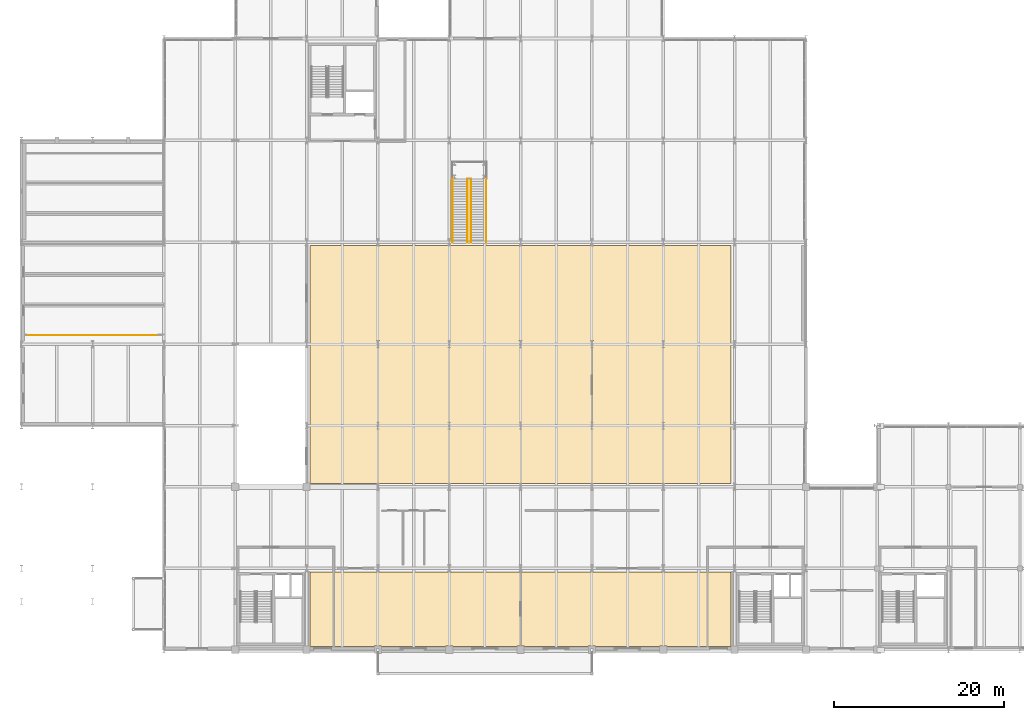
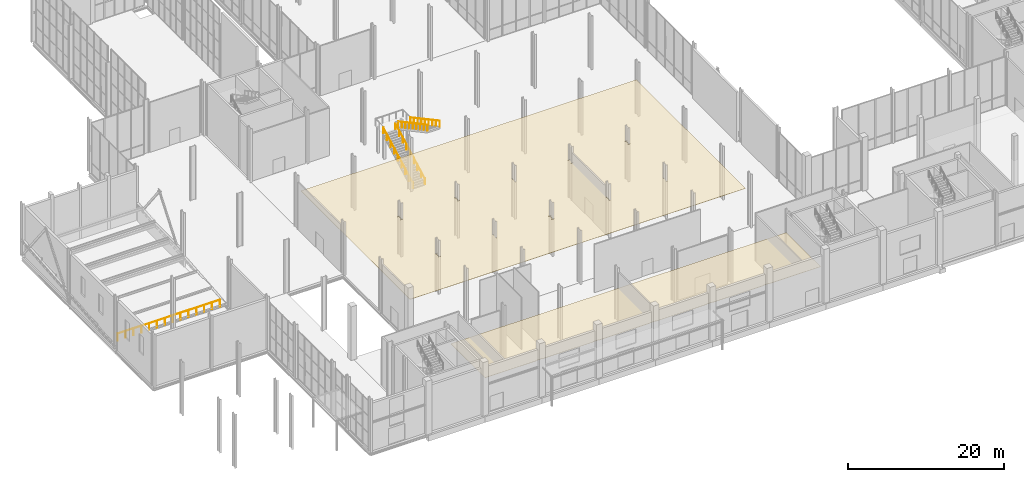
# One storey, part 124 of 131: 5 railings, 2 coverings.
"""IFC4 building model written with IfcOpenShell, lengths in metres."""

from ifc_helpers import new_model, si_unit, direction, frame, origin, origin_2d, place, context, subcontext, project, spatial, polyline, circle, outline, extrude, material, layer, layer_set, type_object, element, save


model = new_model("IFC4")

# Units and contexts
model_context = context("Model", 3, precision=1e-05, world=origin(), true_north=direction((0.0, 1.0)))
body_context = subcontext(model_context, "Body", "Model", "MODEL_VIEW")
ifc_project = project(units=[si_unit("LENGTHUNIT", "METRE"), si_unit("AREAUNIT", "SQUARE_METRE"), si_unit("VOLUMEUNIT", "CUBIC_METRE"), si_unit("PLANEANGLEUNIT", "RADIAN"), si_unit("MASSUNIT", "GRAM", prefix="KILO")], contexts=[model_context])

# Site, building, storey
site_placement = place(None, origin())
site = spatial("IfcSite", under=ifc_project, at=site_placement, CompositionType="ELEMENT")
building_placement = place(site_placement, origin())
building = spatial("IfcBuilding", under=site, at=building_placement, Name="Veltarok Museum of Natural Sciences", CompositionType="ELEMENT")
storey_placement = place(building_placement, origin())
storey = spatial("IfcBuildingStorey", under=building, at=storey_placement, Name="L00", CompositionType="ELEMENT", Elevation=0.0)

# Railing
ifc_material_1 = material(Name="Steel S355J2", Category="steel")
railing_type_1 = type_object("IfcRailingType", Name="Interior Atrium and Stairwell Guardrail 1100", PredefinedType="GUARDRAIL", material=ifc_material_1)
railing_placement = place(storey_placement, frame((7.25, 37.050048828125, 0.449951171875)))
element("IfcRailing", 1, at=railing_placement, inside=storey, type_object=railing_type_1, Name="Auditorium Tier Front Guardrail L00", PredefinedType="GUARDRAIL", context=body_context, shape_type="SweptSolid", body=[
    extrude(circle(Radius=0.02392578125, at=origin_2d()), frame((0.0, 0.0, 1.076171875), z_axis=(1.0, 0.0, 0.0), x_axis=(0.0, 1.0, 0.0)), (0.0, 0.0, 1.0), 15.10009765625),
    extrude(circle(Radius=0.02099609375, at=origin_2d()), origin(), (0.0, 0.0, 1.0), 1.052001953125),
    extrude(circle(Radius=0.02099609375, at=origin_2d()), frame((1.16162109375, 0.0, 0.0)), (0.0, 0.0, 1.0), 1.052001953125),
    extrude(circle(Radius=0.02099609375, at=origin_2d()), frame((2.322998046875, 0.0, 0.0)), (0.0, 0.0, 1.0), 1.052001953125),
    extrude(circle(Radius=0.02099609375, at=origin_2d()), frame((3.484619140625, 0.0, 0.0)), (0.0, 0.0, 1.0), 1.052001953125),
    extrude(circle(Radius=0.02099609375, at=origin_2d()), frame((4.646240234375, 0.0, 0.0)), (0.0, 0.0, 1.0), 1.052001953125),
    extrude(circle(Radius=0.02099609375, at=origin_2d()), frame((5.8076171875, 0.0, 0.0)), (0.0, 0.0, 1.0), 1.052001953125),
    extrude(circle(Radius=0.02099609375, at=origin_2d()), frame((6.96923828125, 0.0, 0.0)), (0.0, 0.0, 1.0), 1.052001953125),
    extrude(circle(Radius=0.02099609375, at=origin_2d()), frame((8.130859375, 0.0, 0.0)), (0.0, 0.0, 1.0), 1.052001953125),
    extrude(circle(Radius=0.02099609375, at=origin_2d()), frame((9.29248046875, 0.0, 0.0)), (0.0, 0.0, 1.0), 1.052001953125),
    extrude(circle(Radius=0.02099609375, at=origin_2d()), frame((10.453857421875, 0.0, 0.0)), (0.0, 0.0, 1.0), 1.052001953125),
    extrude(circle(Radius=0.02099609375, at=origin_2d()), frame((11.615478515625, 0.0, 0.0)), (0.0, 0.0, 1.0), 1.052001953125),
    extrude(circle(Radius=0.02099609375, at=origin_2d()), frame((12.777099609375, 0.0, 0.0)), (0.0, 0.0, 1.0), 1.052001953125),
    extrude(circle(Radius=0.02099609375, at=origin_2d()), frame((13.9384765625, 0.0, 0.0)), (0.0, 0.0, 1.0), 1.052001953125),
    extrude(circle(Radius=0.02099609375, at=origin_2d()), frame((15.10009765625, 0.0, 0.0)), (0.0, 0.0, 1.0), 1.052001953125),
])

# Coverings
ifc_material_2 = material(Name="Acoustic gypsum and mineral wool")
ifc_layer = layer(ifc_material_2, 0.044921875)
ifc_layer_set = layer_set([ifc_layer], Name="Acoustic gypsum and mineral wool")
covering_type = type_object("IfcCoveringType", Name="Perforated Acoustic Museum Ceiling Baffle System 45", PredefinedType="CEILING", material=ifc_layer_set)
covering_1_placement = place(storey_placement, frame((0.0, 0.0, 5.199951171875)))
element("IfcCovering", 2, at=covering_1_placement, inside=storey, type_object=covering_type, Name="Acoustic Gallery Ceiling L00-01", PredefinedType="CEILING", context=body_context, shape_type="SweptSolid", body=[
    extrude(outline(polyline([(90.0, 9.199951171875), (90.0, 0.4580078125), (89.967041015625, 0.4580078125), (89.967041015625, 0.39990234375), (82.43310546875, 0.39990234375), (82.43310546875, 0.4580078125), (81.56689453125, 0.4580078125), (81.56689453125, 0.39990234375), (74.032958984375, 0.39990234375), (74.032958984375, 0.4580078125), (73.1669921875, 0.4580078125), (73.1669921875, 0.39990234375), (65.633056640625, 0.39990234375), (65.633056640625, 0.4580078125), (64.76708984375, 0.4580078125), (64.76708984375, 0.39990234375), (57.23291015625, 0.39990234375), (57.23291015625, 0.4580078125), (56.366943359375, 0.4580078125), (56.366943359375, 0.39990234375), (48.8330078125, 0.39990234375), (48.8330078125, 0.4580078125), (47.967041015625, 0.4580078125), (47.967041015625, 0.39990234375), (40.43310546875, 0.39990234375), (40.43310546875, 0.4580078125), (40.39990234375, 0.4580078125), (40.39990234375, 9.199951171875), (48.241943359375, 9.199951171875), (48.241943359375, 9.19189453125), (48.55810546875, 9.19189453125), (48.55810546875, 9.199951171875), (56.64208984375, 9.199951171875), (56.64208984375, 9.19189453125), (56.9580078125, 9.19189453125), (56.9580078125, 9.199951171875), (65.0419921875, 9.199951171875), (65.0419921875, 9.19189453125), (65.35791015625, 9.19189453125), (65.35791015625, 9.199951171875), (73.44189453125, 9.199951171875), (73.44189453125, 9.19189453125), (73.758056640625, 9.19189453125), (73.758056640625, 9.199951171875), (81.842041015625, 9.199951171875), (81.842041015625, 9.19189453125), (82.157958984375, 9.19189453125), (82.157958984375, 9.199951171875), (90.0, 9.199951171875)])), origin(), (0.0, 0.0, 1.0), 0.045166015625),
])
covering_2_placement = place(storey_placement, frame((0.0, 0.0, 5.800048828125)))
element("IfcCovering", 3, at=covering_2_placement, inside=storey, type_object=covering_type, Name="Acoustic Gallery Ceiling L00-02", PredefinedType="CEILING", context=body_context, shape_type="SweptSolid", body=[
    extrude(outline(polyline([(90.0, 47.60009765625), (90.0, 19.60009765625), (82.157958984375, 19.60009765625), (82.157958984375, 19.60791015625), (81.842041015625, 19.60791015625), (81.842041015625, 19.60009765625), (73.758056640625, 19.60009765625), (73.758056640625, 19.60791015625), (73.44189453125, 19.60791015625), (73.44189453125, 19.60009765625), (65.35791015625, 19.60009765625), (65.35791015625, 19.60791015625), (65.0419921875, 19.60791015625), (65.0419921875, 19.60009765625), (56.9580078125, 19.60009765625), (56.9580078125, 19.60791015625), (56.64208984375, 19.60791015625), (56.64208984375, 19.60009765625), (48.55810546875, 19.60009765625), (48.55810546875, 19.60791015625), (48.241943359375, 19.60791015625), (48.241943359375, 19.60009765625), (40.43310546875, 19.60009765625), (40.43310546875, 19.657958984375), (40.39990234375, 19.657958984375), (40.39990234375, 47.60009765625), (48.241943359375, 47.60009765625), (48.241943359375, 47.592041015625), (48.55810546875, 47.592041015625), (48.55810546875, 47.60009765625), (56.64208984375, 47.60009765625), (56.64208984375, 47.592041015625), (56.9580078125, 47.592041015625), (56.9580078125, 47.60009765625), (65.0419921875, 47.60009765625), (65.0419921875, 47.592041015625), (65.35791015625, 47.592041015625), (65.35791015625, 47.60009765625), (73.44189453125, 47.60009765625), (73.44189453125, 47.592041015625), (73.758056640625, 47.592041015625), (73.758056640625, 47.60009765625), (81.842041015625, 47.60009765625), (81.842041015625, 47.592041015625), (82.157958984375, 47.592041015625), (82.157958984375, 47.60009765625), (90.0, 47.60009765625)]), holes=[polyline([(56.9580078125, 26.80810546875), (56.64208984375, 26.80810546875), (56.64208984375, 26.759033203125), (56.783203125, 26.759033203125), (56.783203125, 26.041015625), (56.64208984375, 26.041015625), (56.64208984375, 25.991943359375), (56.9580078125, 25.991943359375), (56.9580078125, 26.041015625), (56.816650390625, 26.041015625), (56.816650390625, 26.759033203125), (56.9580078125, 26.759033203125), (56.9580078125, 26.80810546875)]), polyline([(48.55810546875, 26.759033203125), (48.55810546875, 26.80810546875), (48.241943359375, 26.80810546875), (48.241943359375, 26.759033203125), (48.38330078125, 26.759033203125), (48.38330078125, 26.041015625), (48.241943359375, 26.041015625), (48.241943359375, 25.991943359375), (48.55810546875, 25.991943359375), (48.55810546875, 26.041015625), (48.416748046875, 26.041015625), (48.416748046875, 26.759033203125), (48.55810546875, 26.759033203125)]), polyline([(56.9580078125, 36.35888671875), (56.9580078125, 36.407958984375), (56.64208984375, 36.407958984375), (56.64208984375, 36.35888671875), (56.783203125, 36.35888671875), (56.783203125, 35.64111328125), (56.64208984375, 35.64111328125), (56.64208984375, 35.592041015625), (56.9580078125, 35.592041015625), (56.9580078125, 35.64111328125), (56.816650390625, 35.64111328125), (56.816650390625, 36.35888671875), (56.9580078125, 36.35888671875)]), polyline([(48.55810546875, 36.35888671875), (48.55810546875, 36.407958984375), (48.241943359375, 36.407958984375), (48.241943359375, 36.35888671875), (48.38330078125, 36.35888671875), (48.38330078125, 35.64111328125), (48.241943359375, 35.64111328125), (48.241943359375, 35.592041015625), (48.55810546875, 35.592041015625), (48.55810546875, 35.64111328125), (48.416748046875, 35.64111328125), (48.416748046875, 36.35888671875), (48.55810546875, 36.35888671875)]), polyline([(82.157958984375, 26.759033203125), (82.157958984375, 26.80810546875), (81.842041015625, 26.80810546875), (81.842041015625, 26.759033203125), (81.983154296875, 26.759033203125), (81.983154296875, 26.041015625), (81.842041015625, 26.041015625), (81.842041015625, 25.991943359375), (82.157958984375, 25.991943359375), (82.157958984375, 26.041015625), (82.016845703125, 26.041015625), (82.016845703125, 26.759033203125), (82.157958984375, 26.759033203125)]), polyline([(65.35791015625, 26.80810546875), (65.0419921875, 26.80810546875), (65.0419921875, 26.759033203125), (65.183349609375, 26.759033203125), (65.183349609375, 26.041015625), (65.0419921875, 26.041015625), (65.0419921875, 25.991943359375), (65.35791015625, 25.991943359375), (65.35791015625, 26.041015625), (65.216796875, 26.041015625), (65.216796875, 26.759033203125), (65.35791015625, 26.759033203125), (65.35791015625, 26.80810546875)]), polyline([(73.758056640625, 26.759033203125), (73.758056640625, 26.80810546875), (73.44189453125, 26.80810546875), (73.44189453125, 26.759033203125), (73.583251953125, 26.759033203125), (73.583251953125, 26.041015625), (73.44189453125, 26.041015625), (73.44189453125, 25.991943359375), (73.758056640625, 25.991943359375), (73.758056640625, 26.041015625), (73.61669921875, 26.041015625), (73.61669921875, 26.759033203125), (73.758056640625, 26.759033203125)]), polyline([(65.35791015625, 36.35888671875), (65.35791015625, 36.407958984375), (65.0419921875, 36.407958984375), (65.0419921875, 36.35888671875), (65.183349609375, 36.35888671875), (65.183349609375, 35.64111328125), (65.0419921875, 35.64111328125), (65.0419921875, 35.592041015625), (65.35791015625, 35.592041015625), (65.35791015625, 35.64111328125), (65.216796875, 35.64111328125), (65.216796875, 36.35888671875), (65.35791015625, 36.35888671875)]), polyline([(73.758056640625, 36.407958984375), (73.44189453125, 36.407958984375), (73.44189453125, 36.35888671875), (73.583251953125, 36.35888671875), (73.583251953125, 35.64111328125), (73.44189453125, 35.64111328125), (73.44189453125, 35.592041015625), (73.758056640625, 35.592041015625), (73.758056640625, 35.64111328125), (73.61669921875, 35.64111328125), (73.61669921875, 36.35888671875), (73.758056640625, 36.35888671875), (73.758056640625, 36.407958984375)]), polyline([(82.157958984375, 36.35888671875), (82.157958984375, 36.407958984375), (81.842041015625, 36.407958984375), (81.842041015625, 36.35888671875), (81.983154296875, 36.35888671875), (81.983154296875, 35.64111328125), (81.842041015625, 35.64111328125), (81.842041015625, 35.592041015625), (82.157958984375, 35.592041015625), (82.157958984375, 35.64111328125), (82.016845703125, 35.64111328125), (82.016845703125, 36.35888671875), (82.157958984375, 36.35888671875)])]), origin(), (0.0, 0.0, 1.0), 0.044921875),
])

# Railings
railing_type_2 = type_object("IfcRailingType", Name="Stair Flight Tubular Steel Handrail 900", PredefinedType="HANDRAIL", material=ifc_material_1)
for number, where, name in (
    (4, (57.159912109375, 47.97998046875, 0.16162109375), "Atrium Stair Handrail ST-ATR01-F1L"),
    (5, (58.9599609375, 47.97998046875, 0.16162109375), "Atrium Stair Handrail ST-ATR01-F1R"),
):
    element("IfcRailing", number, at=place(storey_placement, frame(where)), inside=storey, type_object=railing_type_2, Name=name, PredefinedType="HANDRAIL", context=body_context, shape_type="SweptSolid", body=[
        extrude(circle(Radius=0.02392578125, at=origin_2d()), frame((0.0, 0.0, 0.8759765625), z_axis=(0.0, 0.880477542077, 0.474087858838), x_axis=(-1.0, 0.0, 0.0)), (0.0, 0.0, 1.0), 8.51806640625),
        extrude(circle(Radius=0.02099609375, at=origin_2d()), origin(), (0.0, 0.0, 1.0), 0.851806640625),
        extrude(circle(Radius=0.02099609375, at=origin_2d()), frame((0.0, 0.9375, 0.5048828125)), (0.0, 0.0, 1.0), 0.851806640625),
        extrude(circle(Radius=0.02099609375, at=origin_2d()), frame((0.0, 1.875, 1.009521484375)), (0.0, 0.0, 1.0), 0.851806640625),
        extrude(circle(Radius=0.02099609375, at=origin_2d()), frame((0.0, 2.8125, 1.514404296875)), (0.0, 0.0, 1.0), 0.851806640625),
        extrude(circle(Radius=0.02099609375, at=origin_2d()), frame((0.0, 3.75, 2.01904296875)), (0.0, 0.0, 1.0), 0.851806640625),
        extrude(circle(Radius=0.02099609375, at=origin_2d()), frame((0.0, 4.6875, 2.52392578125)), (0.0, 0.0, 1.0), 0.851806640625),
        extrude(circle(Radius=0.02099609375, at=origin_2d()), frame((0.0, 5.625, 3.02880859375)), (0.0, 0.0, 1.0), 0.851806640625),
        extrude(circle(Radius=0.02099609375, at=origin_2d()), frame((0.0, 6.5625, 3.533447265625)), (0.0, 0.0, 1.0), 0.851806640625),
        extrude(circle(Radius=0.02099609375, at=origin_2d()), frame((0.0, 7.5, 4.038330078125)), (0.0, 0.0, 1.0), 0.851806640625),
    ])
for number, where, name in (
    (6, (59.360107421875, 55.47998046875, 4.361572265625), "Atrium Stair Handrail ST-ATR01-F2L"),
    (7, (61.159912109375, 55.47998046875, 4.361572265625), "Atrium Stair Handrail ST-ATR01-F2R"),
):
    element("IfcRailing", number, at=place(storey_placement, frame(where)), inside=storey, type_object=railing_type_2, Name=name, PredefinedType="HANDRAIL", context=body_context, shape_type="SweptSolid", body=[
        extrude(circle(Radius=0.02392578125, at=origin_2d()), frame((0.0, 0.0, 0.8759765625), z_axis=(0.0, -0.880477542077, 0.474087858838), x_axis=(1.0, 0.0, 0.0)), (0.0, 0.0, 1.0), 8.51806640625),
        extrude(circle(Radius=0.02099609375, at=origin_2d()), origin(), (0.0, 0.0, 1.0), 0.851806640625),
        extrude(circle(Radius=0.02099609375, at=origin_2d()), frame((0.0, -0.9375, 0.5048828125)), (0.0, 0.0, 1.0), 0.851806640625),
        extrude(circle(Radius=0.02099609375, at=origin_2d()), frame((0.0, -1.875, 1.009521484375)), (0.0, 0.0, 1.0), 0.851806640625),
        extrude(circle(Radius=0.02099609375, at=origin_2d()), frame((0.0, -2.8125, 1.514404296875)), (0.0, 0.0, 1.0), 0.851806640625),
        extrude(circle(Radius=0.02099609375, at=origin_2d()), frame((0.0, -3.75, 2.01904296875)), (0.0, 0.0, 1.0), 0.851806640625),
        extrude(circle(Radius=0.02099609375, at=origin_2d()), frame((0.0, -4.6875, 2.52392578125)), (0.0, 0.0, 1.0), 0.851806640625),
        extrude(circle(Radius=0.02099609375, at=origin_2d()), frame((0.0, -5.625, 3.02880859375)), (0.0, 0.0, 1.0), 0.851806640625),
        extrude(circle(Radius=0.02099609375, at=origin_2d()), frame((0.0, -6.5625, 3.533447265625)), (0.0, 0.0, 1.0), 0.851806640625),
        extrude(circle(Radius=0.02099609375, at=origin_2d()), frame((0.0, -7.5, 4.038330078125)), (0.0, 0.0, 1.0), 0.851806640625),
    ])

save(model, "model.ifc")
